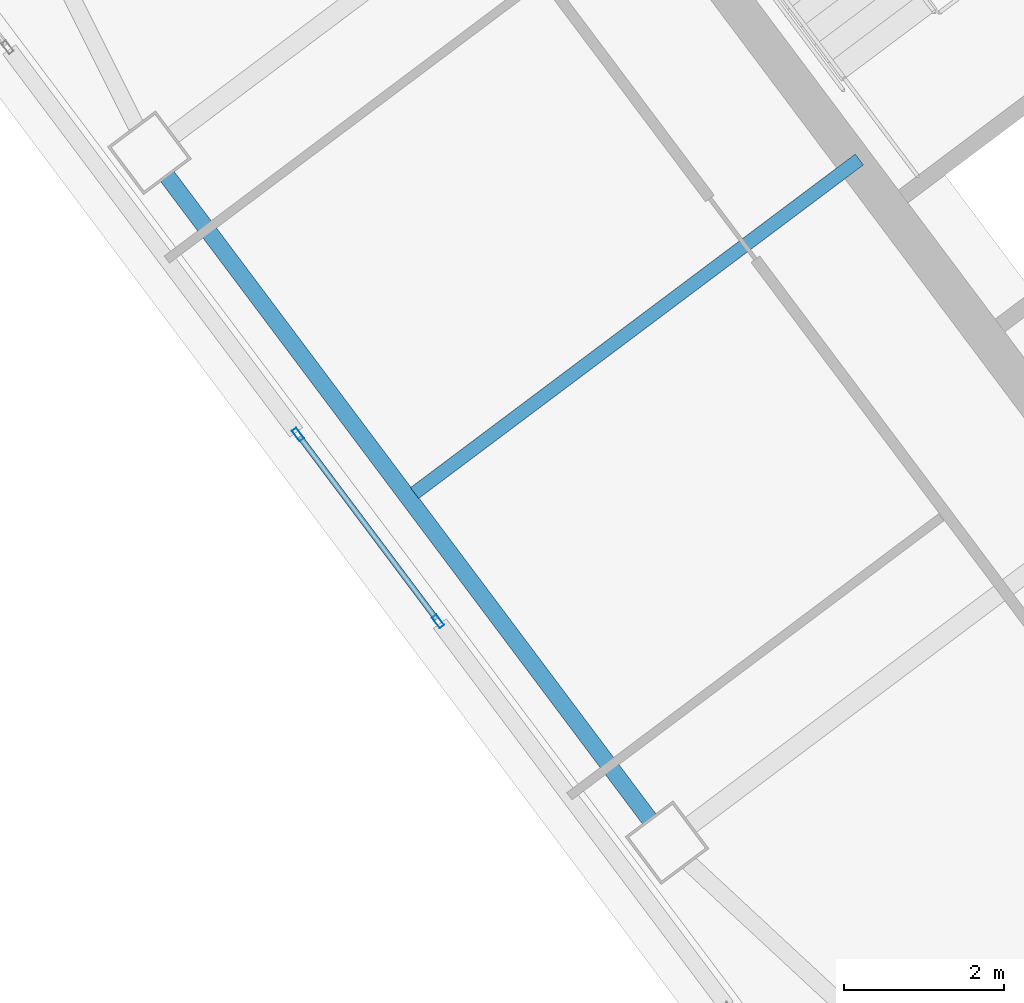
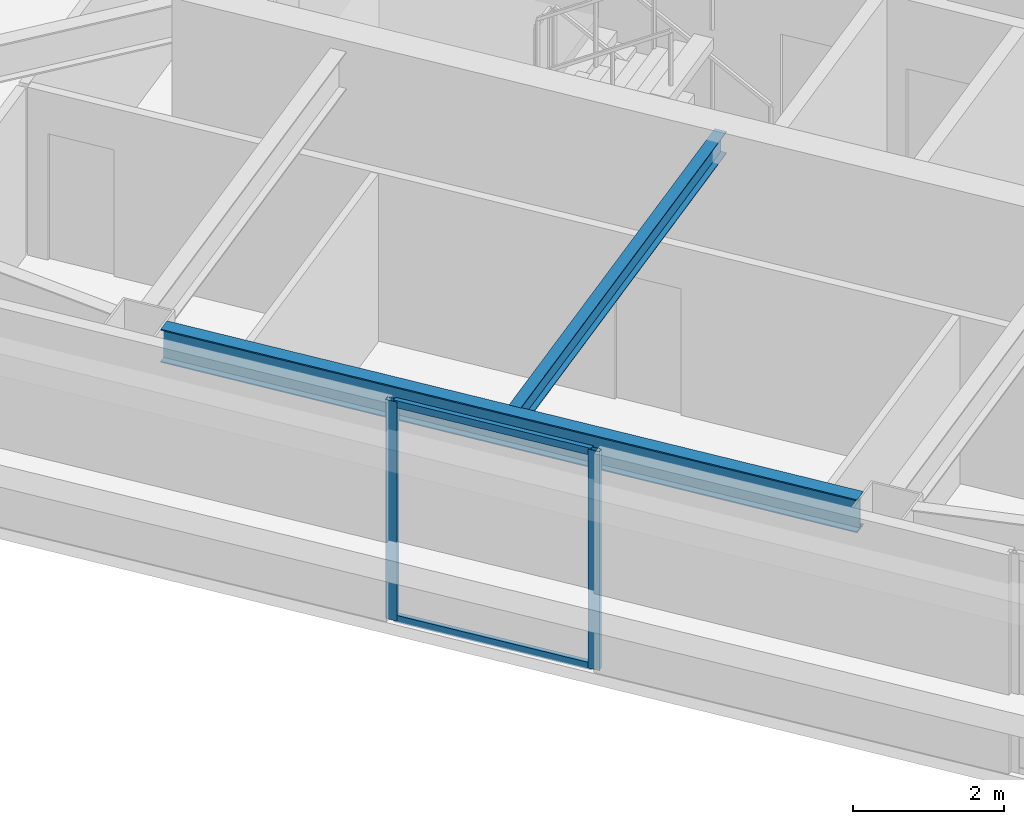
# One storey, part 18 of 44: 4 members, 2 beams, 1 element without a shape of its own.
"""IFC4 building model written with IfcOpenShell, lengths in metres."""

import ifcopenshell
import ifcopenshell.guid

model = None  # the IFC model being written
_history = None  # IfcOwnerHistory: only IFC2X3 demands one
_inside = {}  # id of a spatial element -> (the spatial element, [elements in it])
_under = {}  # id of a project, library or spatial element -> (it, [spatial elements below it])
_declared = {}  # id of a project -> (the project, [libraries it declares])
_typed = {}  # id of a type object -> (the type object, [elements of that type])
_made_of = {}  # id of a material, layer set ... -> (it, [elements and type objects made of it])


def new_model(schema):
    """Start an empty IFC model of exactly this schema.

    Asked for "IFC4X3", IfcOpenShell would pick the latest addendum, in which some entities
    have other attributes; the version numbers below select the first issue.
    IFC2X3 requires an IfcOwnerHistory on every rooted entity: one is made here for all.
    """
    global model, _history
    if schema == "IFC4X3":
        model = ifcopenshell.file(schema_version=(4, 3, 0, 0))
    else:
        model = ifcopenshell.file(schema=schema)
    _inside.clear()
    _under.clear()
    _declared.clear()
    _typed.clear()
    _made_of.clear()
    _history = None
    if model.schema == "IFC2X3":
        org = make("IfcOrganization", Name="unknown")
        user = make(
            "IfcPersonAndOrganization",
            ThePerson=make("IfcPerson", FamilyName="unknown"),
            TheOrganization=org,
        )
        app = make(
            "IfcApplication",
            ApplicationDeveloper=org,
            Version="unknown",
            ApplicationFullName="unknown",
            ApplicationIdentifier="unknown",
        )
        _history = make(
            "IfcOwnerHistory",
            OwningUser=user,
            OwningApplication=app,
            ChangeAction="ADDED",
            CreationDate=0,
        )
    return model


def make(cls, **values):
    """One entity of the class cls with the attributes given. An attribute that is None is left unset."""
    return model.create_entity(
        cls, **{name: value for name, value in values.items() if value is not None}
    )


def rooted(cls, **values):
    """An entity with a GlobalId (a new one), such as an element, a storey or a relation."""
    return make(cls, GlobalId=ifcopenshell.guid.new(), OwnerHistory=_history, **values)


def si_unit(unit_type, name, prefix=None):
    """IfcSIUnit, for example si_unit("LENGTHUNIT", "METRE", prefix="MILLI")."""
    return make("IfcSIUnit", UnitType=unit_type, Prefix=prefix, Name=name)


def assignment(units):
    """IfcUnitAssignment: the units of a project."""
    return None if units is None else make("IfcUnitAssignment", Units=units)


def point(xyz):
    """IfcCartesianPoint."""
    return None if xyz is None else make("IfcCartesianPoint", Coordinates=xyz)


def direction(xyz):
    """IfcDirection."""
    return None if xyz is None else make("IfcDirection", DirectionRatios=xyz)


def frame(location, z_axis=None, x_axis=None):
    """IfcAxis2Placement3D, a coordinate frame: its origin and axes. An axis left out is left unset."""
    return make(
        "IfcAxis2Placement3D",
        Location=point(location),
        Axis=direction(z_axis),
        RefDirection=direction(x_axis),
    )


def frame_2d(location, x_axis=None):
    """IfcAxis2Placement2D, a coordinate frame in the plane: its origin and x axis."""
    return make(
        "IfcAxis2Placement2D", Location=point(location), RefDirection=direction(x_axis)
    )


def origin():
    """The frame at (0, 0, 0) with its axes left unset."""
    return frame((0.0, 0.0, 0.0))


def origin_2d():
    """The frame at (0, 0) in the plane with its x axis left unset."""
    return frame_2d((0.0, 0.0))


def place(relative_to, where):
    """IfcLocalPlacement: puts the frame where relative to a parent placement (None: the world)."""
    return make(
        "IfcLocalPlacement", PlacementRelTo=relative_to, RelativePlacement=where
    )


def context(
    kind, dimensions, precision=None, world=None, true_north=None, identifier=None
):
    """IfcGeometricRepresentationContext, for example the 3D "Model" context."""
    return make(
        "IfcGeometricRepresentationContext",
        ContextIdentifier=identifier,
        ContextType=kind,
        CoordinateSpaceDimension=dimensions,
        Precision=precision,
        WorldCoordinateSystem=world,
        TrueNorth=true_north,
    )


def subcontext(parent, identifier, kind, view, scale=None):
    """IfcGeometricRepresentationSubContext, for example "Body" below "Model"."""
    return make(
        "IfcGeometricRepresentationSubContext",
        ContextIdentifier=identifier,
        ContextType=kind,
        ParentContext=parent,
        TargetScale=scale,
        TargetView=view,
    )


def project(units=None, contexts=None):
    """IfcProject with its units and contexts."""
    return rooted(
        "IfcProject",
        Name="project",
        RepresentationContexts=contexts,
        UnitsInContext=assignment(units),
    )


def spatial(cls, under=None, at=None, **own):
    """A site, building, storey or space (cls), placed at a placement, below another one or the project."""
    s = rooted(cls, ObjectPlacement=at, **own)
    if under is not None:
        _under.setdefault(under.id(), (under, []))[1].append(s)
    return s


def profile(cls, at=None, kind="AREA", **sizes):
    """A parametric profile (cls). Its sizes go by their IFC names, for example OverallWidth=200.0."""
    return make(cls, ProfileType=kind, Position=at, **sizes)


def hollow_rectangle(**sizes):
    """IfcRectangleHollowProfileDef."""
    return profile("IfcRectangleHollowProfileDef", **sizes)


def i_section(**sizes):
    """IfcIShapeProfileDef."""
    return profile("IfcIShapeProfileDef", **sizes)


def extrude(swept, where, along, depth):
    """IfcExtrudedAreaSolid: the profile swept, set in the frame where, extruded along a direction by depth."""
    return make(
        "IfcExtrudedAreaSolid",
        SweptArea=swept,
        Position=where,
        ExtrudedDirection=direction(along),
        Depth=depth,
    )


def shape(context_of_items, identifier, shape_type, items):
    """IfcShapeRepresentation: the items that make up one representation, for example the "Body"."""
    return make(
        "IfcShapeRepresentation",
        ContextOfItems=context_of_items,
        RepresentationIdentifier=identifier,
        RepresentationType=shape_type,
        Items=items,
    )


def material(Name=None, Category=None):
    """IfcMaterial."""
    return make("IfcMaterial", Name=Name, Category=Category)


def material_profile(
    of_material, cross_section, Name=None, Category=None, Priority=None
):
    """IfcMaterialProfile: a cross section and its material."""
    return make(
        "IfcMaterialProfile",
        Name=Name,
        Material=of_material,
        Profile=cross_section,
        Priority=Priority,
        Category=Category,
    )


def profile_set(profiles, Name=None, composite=None):
    """IfcMaterialProfileSet."""
    return make(
        "IfcMaterialProfileSet",
        Name=Name,
        MaterialProfiles=profiles,
        CompositeProfile=composite,
    )


def made_of(thing, what):
    """Note that an element or type object is made of a material, layer set ...; save() writes the relation."""
    if what is not None:
        _made_of.setdefault(what.id(), (what, []))[1].append(thing)
    return thing


def type_object(cls, material=None, **own):
    """A type object (cls), such as IfcWallType, which elements share."""
    return made_of(rooted(cls, **own), material)


def element(
    cls,
    number,
    at=None,
    inside=None,
    cuts=None,
    type_object=None,
    material=None,
    context=None,
    identifier="Body",
    shape_type=None,
    held_by="IfcProductDefinitionShape",
    body=None,
    shapes=None,
    **own,
):
    """One element of the class cls, such as IfcWall. Its Tag is "e" and its number.

    at: its placement. inside: the storey or other place that contains it. cuts: it is an
    opening in that element (IfcRelVoidsElement). A single representation is given by context,
    identifier, shape_type and body (its items); several are given by shapes. held_by: the class
    of the entity that holds the representations. save() writes the other relations.
    """
    e = rooted(cls, Tag="e%d" % number, ObjectPlacement=at, **own)
    if body is not None:
        shapes = [shape(context, identifier, shape_type, body)]
    if shapes is not None:
        e.Representation = make(held_by, Representations=shapes)
    if inside is not None:
        _inside.setdefault(inside.id(), (inside, []))[1].append(e)
    if cuts is not None:
        rooted(
            "IfcRelVoidsElement", RelatingBuildingElement=cuts, RelatedOpeningElement=e
        )
    if type_object is not None:
        _typed.setdefault(type_object.id(), (type_object, []))[1].append(e)
    return made_of(e, material)


def aggregate(whole, parts):
    """IfcRelAggregates: a whole, such as a stair, and the parts it consists of."""
    return rooted("IfcRelAggregates", RelatingObject=whole, RelatedObjects=parts)


def save(model, path):
    """Write the relations noted so far, then the file.

    IfcRelAggregates (storeys below a building ...), IfcRelContainedInSpatialStructure (elements
    in a storey), IfcRelDefinesByType, IfcRelAssociatesMaterial and IfcRelDeclares: one each for
    every whole, place, type object, material and project.
    """
    for whole, parts in _under.values():
        aggregate(whole, parts)
    for where, things in _inside.values():
        rooted(
            "IfcRelContainedInSpatialStructure",
            RelatedElements=things,
            RelatingStructure=where,
        )
    for kind, things in _typed.values():
        rooted("IfcRelDefinesByType", RelatedObjects=things, RelatingType=kind)
    for what, things in _made_of.values():
        rooted("IfcRelAssociatesMaterial", RelatedObjects=things, RelatingMaterial=what)
    for by, libraries in _declared.values():
        rooted("IfcRelDeclares", RelatingContext=by, RelatedDefinitions=libraries)
    model.write(path)


model = new_model("IFC4")

# Units and contexts
model_context = context("Model", 3, precision=1e-05, world=origin(), true_north=direction((0.0, 1.0)))
body_context = subcontext(model_context, "Body", "Model", "MODEL_VIEW")
ifc_project = project(units=[si_unit("LENGTHUNIT", "METRE"), si_unit("AREAUNIT", "SQUARE_METRE"), si_unit("VOLUMEUNIT", "CUBIC_METRE"), si_unit("PLANEANGLEUNIT", "RADIAN"), si_unit("MASSUNIT", "GRAM", prefix="KILO")], contexts=[model_context])

# Site, building, storey
site_placement = place(None, origin())
site = spatial("IfcSite", under=ifc_project, at=site_placement, CompositionType="ELEMENT")
building_placement = place(site_placement, origin())
building = spatial("IfcBuilding", under=site, at=building_placement, Name="Tashvorn Skyway Center", CompositionType="ELEMENT")
storey_placement = place(building_placement, frame((0.0, 0.0, 211.300048828125)))
storey = spatial("IfcBuildingStorey", under=building, at=storey_placement, Name="L57", CompositionType="ELEMENT", Elevation=211.300048828125)

# Beams
ifc_material_1 = material(Name="Steel ASTM A992 Grade 50", Category="steel")
ifc_material_profile_1 = material_profile(ifc_material_1, i_section(OverallWidth=0.1708984375, OverallDepth=0.35498046875, WebThickness=0.007080078125, FlangeThickness=0.01171875, at=origin_2d()), Name="W14X34")
ifc_profile_set_1 = profile_set([ifc_material_profile_1], Name="Steel ASTM A992 Grade 50")
beam_type_1 = type_object("IfcBeamType", Name="BM-JOIST-W14X34", PredefinedType="JOIST", material=ifc_profile_set_1)
beam_1_placement = place(storey_placement, frame((107.76806640625, 27.325927734375, 3.1923828125), z_axis=(-0.800004207761, -0.599994389612, 0.0), x_axis=(0.599994389612, -0.800004207761, 0.0)))
element("IfcBeam", 1, at=beam_1_placement, inside=storey, type_object=beam_type_1, Name="Tower 2 L57 Secondary Composite Joist JW", PredefinedType="JOIST", context=body_context, shape_type="SweptSolid", body=[
    extrude(i_section(OverallWidth=0.1708984375, OverallDepth=0.35498046875, WebThickness=0.007080078125, FlangeThickness=0.01171875, at=origin_2d()), origin(), (0.0, 0.0, 1.0), 6.962646484375),
])
ifc_material_profile_2 = material_profile(ifc_material_1, i_section(OverallWidth=0.2109375, OverallDepth=0.5390625, WebThickness=0.01171875, FlangeThickness=0.018798828125, at=origin_2d()), Name="W21X73")
ifc_profile_set_2 = profile_set([ifc_material_profile_2], Name="Steel ASTM A992 Grade 50")
beam_type_2 = type_object("IfcBeamType", Name="BM-SPANDREL-W21X73", PredefinedType="SPANDREL", material=ifc_profile_set_2)
beam_2_placement = place(storey_placement, frame((99.10205078125, 27.114013671875, 3.100341796875), z_axis=(0.599988351091, -0.800008736549, 0.0), x_axis=(0.800008736549, 0.599988351091, 0.0)))
element("IfcBeam", 2, at=beam_2_placement, inside=storey, type_object=beam_type_2, Name="Tower 2 L57 Spandrel Beam 11", PredefinedType="SPANDREL", context=body_context, shape_type="SweptSolid", body=[
    extrude(i_section(OverallWidth=0.2109375, OverallDepth=0.5390625, WebThickness=0.01171875, FlangeThickness=0.018798828125, at=origin_2d()), origin(), (0.0, 0.0, 1.0), 10.06005859375),
])

# Curtain wall, members
ifc_material_2 = material(Name="Thermally broken bronze-anodized aluminium 6063-T6", Category="aluminium")
curtain_wall_type = type_object("IfcCurtainWallType", Name="CW-CW-Z5", PredefinedType="NOTDEFINED", material=ifc_material_2)
curtain_wall_placement = place(storey_placement, origin())
curtain_wall = element("IfcCurtainWall", 3, at=curtain_wall_placement, inside=storey, type_object=curtain_wall_type, Name="Tower 2 L57 West Unitised Curtain Wall Glazing Group 2", PredefinedType="NOTDEFINED")
ifc_material_profile_3 = material_profile(ifc_material_2, hollow_rectangle(XDim=0.070068359375, YDim=0.1650390625, WallThickness=0.00390625, at=origin_2d()), Name="ALU-MULL-70x165")
ifc_profile_set_3 = profile_set([ifc_material_profile_3], Name="Thermally broken bronze-anodized aluminium 6063-T6")
member_type_1 = type_object("IfcMemberType", Name="CWM-CW-Z5", PredefinedType="MULLION", material=ifc_profile_set_3)
member_1_placement = place(storey_placement, frame((102.49365234375, 21.541748046875, 0.0), z_axis=(0.0, 0.0, 1.0), x_axis=(-0.799983975999, -0.600021364741, 0.0)))
member_1 = element("IfcMember", 4, at=member_1_placement, type_object=member_type_1, Name="CW-Z5 mullion 1", PredefinedType="MULLION", context=body_context, shape_type="SweptSolid", body=[
    extrude(hollow_rectangle(XDim=0.070068359375, YDim=0.1650390625, WallThickness=0.00390625, at=origin_2d()), origin(), (0.0, 0.0, 1.0), 3.550048828125),
])
member_2_placement = place(storey_placement, frame((100.73828125, 23.882080078125, 0.0), z_axis=(0.0, 0.0, 1.0), x_axis=(-0.799983975999, -0.600021364741, 0.0)))
member_2 = element("IfcMember", 5, at=member_2_placement, type_object=member_type_1, Name="CW-Z5 mullion 2", PredefinedType="MULLION", context=body_context, shape_type="SweptSolid", body=[
    extrude(hollow_rectangle(XDim=0.070068359375, YDim=0.1650390625, WallThickness=0.00390625, at=origin_2d()), origin(), (0.0, 0.0, 1.0), 3.550048828125),
])
ifc_material_profile_4 = material_profile(ifc_material_2, hollow_rectangle(XDim=0.070068359375, YDim=0.114990234375, WallThickness=0.00390625, at=origin_2d()), Name="ALU-TRAN-70x115")
ifc_profile_set_4 = profile_set([ifc_material_profile_4], Name="Thermally broken bronze-anodized aluminium 6063-T6")
member_type_2 = type_object("IfcMemberType", Name="CWT-CW-Z5", PredefinedType="USERDEFINED", material=ifc_profile_set_4)
member_3_placement = place(storey_placement, frame((102.47265625, 21.56982421875, 0.034912109375), z_axis=(-0.600013679335, 0.799989740316, 0.0), x_axis=(-0.799989740316, -0.600013679335, 0.0)))
member_3 = element("IfcMember", 6, at=member_3_placement, type_object=member_type_2, Name="CW-Z5 transom 1.1", ObjectType="TRANSOM", PredefinedType="USERDEFINED", context=body_context, shape_type="SweptSolid", body=[
    extrude(hollow_rectangle(XDim=0.070068359375, YDim=0.114990234375, WallThickness=0.00390625, at=origin_2d()), origin(), (0.0, 0.0, 1.0), 2.85546875),
])
member_4_placement = place(storey_placement, frame((102.47265625, 21.56982421875, 3.514892578125), z_axis=(-0.600013679335, 0.799989740316, 0.0), x_axis=(-0.799989740316, -0.600013679335, 0.0)))
member_4 = element("IfcMember", 7, at=member_4_placement, type_object=member_type_2, Name="CW-Z5 transom 1.2", ObjectType="TRANSOM", PredefinedType="USERDEFINED", context=body_context, shape_type="SweptSolid", body=[
    extrude(hollow_rectangle(XDim=0.070068359375, YDim=0.114990234375, WallThickness=0.00390625, at=origin_2d()), origin(), (0.0, 0.0, 1.0), 2.85546875),
])
aggregate(curtain_wall, [member_1, member_2, member_3, member_4])

save(model, "model.ifc")
